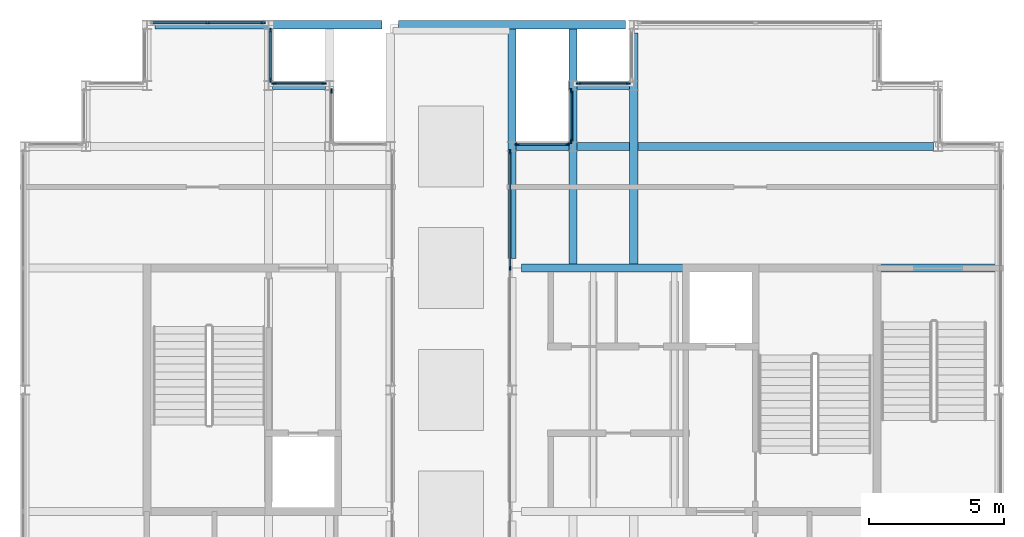
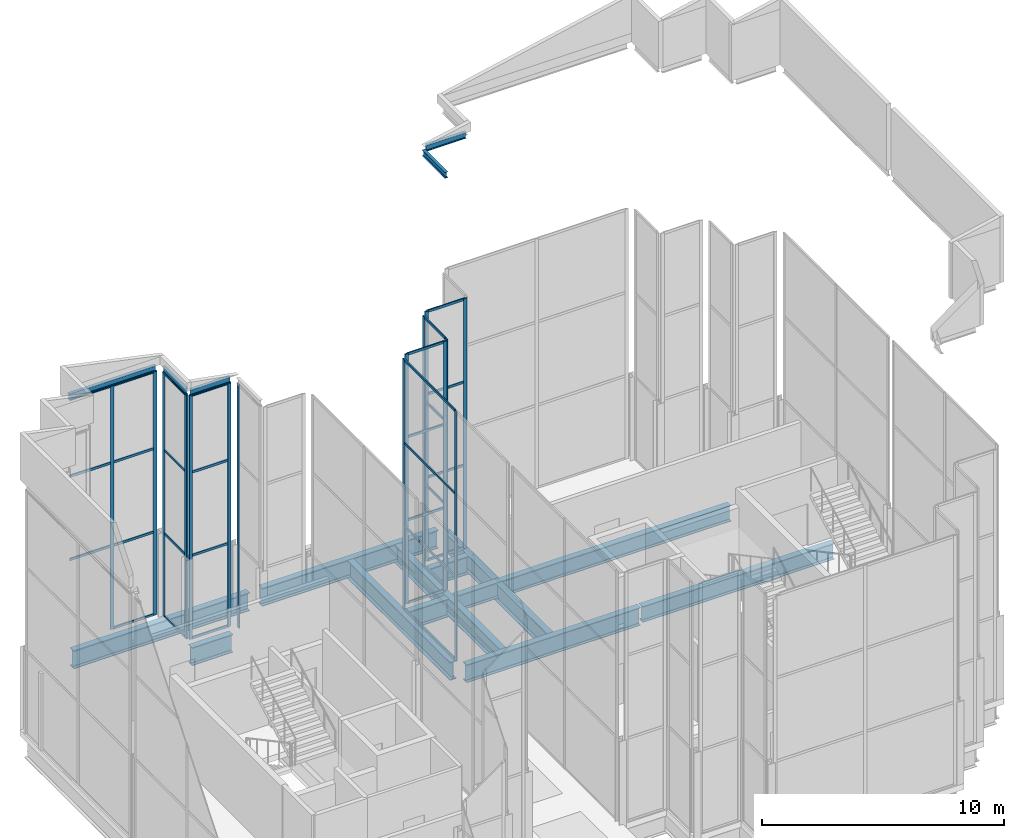
# One storey, part 7 of 23: 46 members, 16 beams, 8 elements without a shape of their own.
"""IFC4 building model written with IfcOpenShell, lengths in metres."""

from ifc_helpers import new_model, si_unit, direction, frame, origin, origin_2d, place, context, subcontext, project, spatial, rectangle, i_section, extrude, material, layer, layer_set, material_profile, profile_set, type_object, element, aggregate, save


model = new_model("IFC4")

# Units and contexts
model_context = context("Model", 3, precision=1e-05, world=origin(), true_north=direction((0.0, 1.0)))
body_context = subcontext(model_context, "Body", "Model", "MODEL_VIEW")
ifc_project = project(units=[si_unit("LENGTHUNIT", "METRE"), si_unit("AREAUNIT", "SQUARE_METRE"), si_unit("VOLUMEUNIT", "CUBIC_METRE"), si_unit("PLANEANGLEUNIT", "RADIAN"), si_unit("MASSUNIT", "GRAM", prefix="KILO")], contexts=[model_context])

# Site, building, storey
site_placement = place(None, origin())
site = spatial("IfcSite", under=ifc_project, at=site_placement, CompositionType="ELEMENT")
building_placement = place(site_placement, origin())
building = spatial("IfcBuilding", under=site, at=building_placement, Name="Caravel Reach Hotel and Residences", CompositionType="ELEMENT")
storey_placement = place(building_placement, frame((0.0, 0.0, 312.800048828125)))
storey = spatial("IfcBuildingStorey", under=building, at=storey_placement, Name="L79", CompositionType="ELEMENT", Elevation=312.800048828125)

# Beams
ifc_material_1 = material(Name="Structural steel Q355B", Category="steel")
ifc_material_profile_1 = material_profile(ifc_material_1, i_section(OverallWidth=0.14990234375, OverallDepth=0.300048828125, WebThickness=0.006591796875, FlangeThickness=0.009033203125, FilletRadius=0.012939453125, at=origin_2d()), Name="HN 300x150x6.5x9")
ifc_profile_set_1 = profile_set([ifc_material_profile_1], Name="Structural steel Q355B")
beam_type_1 = type_object("IfcBeamType", Name="Beam HN 300x150x6.5x9", PredefinedType="BEAM", material=ifc_profile_set_1)
for number, where, z_axis, x_axis, name in (
    (1, (35.824951171875, 38.324951171875, 20.849853515625), (-1.0, 0.0, 0.0), (0.0, -1.0, 0.0), "Eave tie beam east 12.1"),
    (2, (33.675048828125, 38.074951171875, 20.849853515625), (0.0, -1.0, 0.0), (1.0, 0.0, 0.0), "Eave tie beam east 13.1"),
    (3, (24.574951171875, 38.324951171875, 12.449951171875), (-1.0, 0.0, 0.0), (0.0, -1.0, 0.0), "Eave tie beam west 28.1"),
    (4, (22.574951171875, 38.425048828125, 12.449951171875), (0.0, 1.0, 0.0), (-1.0, 0.0, 0.0), "Eave tie beam west 29.1"),
):
    element("IfcBeam", number, at=place(storey_placement, frame(where, z_axis=z_axis, x_axis=x_axis)), inside=storey, type_object=beam_type_1, Name=name, PredefinedType="BEAM", context=body_context, shape_type="SweptSolid", body=[
        extrude(i_section(OverallWidth=0.14990234375, OverallDepth=0.300048828125, WebThickness=0.006591796875, FlangeThickness=0.009033203125, FilletRadius=0.012939453125, at=origin_2d()), origin(), (0.0, 0.0, 1.0), 1.89990234375),
    ])
beam_1_placement = place(storey_placement, frame((22.324951171875, 40.574951171875, 12.449951171875), z_axis=(-1.0, 0.0, 0.0), x_axis=(0.0, -1.0, 0.0)))
element("IfcBeam", 5, at=beam_1_placement, inside=storey, type_object=beam_type_1, Name="Eave tie beam west 30.1", PredefinedType="BEAM", context=body_context, shape_type="SweptSolid", body=[
    extrude(i_section(OverallWidth=0.14990234375, OverallDepth=0.300048828125, WebThickness=0.006591796875, FlangeThickness=0.009033203125, FilletRadius=0.012939453125, at=origin_2d()), origin(), (0.0, 0.0, 1.0), 4.14990234375),
])
ifc_material_2 = material(Name="Structural steel Q355B", Category="steel")
ifc_material_profile_2 = material_profile(ifc_material_2, i_section(OverallWidth=0.300048828125, OverallDepth=0.800048828125, WebThickness=0.013916015625, FlangeThickness=0.02587890625, FilletRadius=0.01806640625, at=origin_2d()), Name="HN 800x300x14x26")
ifc_profile_set_2 = profile_set([ifc_material_profile_2], Name="Structural steel Q355B")
beam_type_2 = type_object("IfcBeamType", Name="Beam HN 800x300x14x26", PredefinedType="BEAM", material=ifc_profile_set_2)
beam_2_placement = place(storey_placement, frame((40.25, 31.5, -0.699951171875), z_axis=(1.0, 0.0, 0.0), x_axis=(0.0, 1.0, 0.0)))
element("IfcBeam", 6, at=beam_2_placement, inside=storey, type_object=beam_type_2, Name="B4 HN 800x300x14x26", PredefinedType="BEAM", context=body_context, shape_type="SweptSolid", body=[
    extrude(i_section(OverallWidth=0.300048828125, OverallDepth=0.800048828125, WebThickness=0.013916015625, FlangeThickness=0.02587890625, FilletRadius=0.01806640625, at=origin_2d()), origin(), (0.0, 0.0, 1.0), 9.14990234375),
])
beam_3_placement = place(storey_placement, frame((33.925048828125, 36.0, -0.699951171875), z_axis=(1.0, 0.0, 0.0), x_axis=(0.0, 1.0, 0.0)))
element("IfcBeam", 7, at=beam_3_placement, inside=storey, type_object=beam_type_2, Name="B4 HN 800x300x14x26", PredefinedType="BEAM", context=body_context, shape_type="SweptSolid", body=[
    extrude(i_section(OverallWidth=0.300048828125, OverallDepth=0.800048828125, WebThickness=0.013916015625, FlangeThickness=0.02587890625, FilletRadius=0.01806640625, at=origin_2d()), origin(), (0.0, 0.0, 1.0), 13.14990234375),
])
ifc_material_3 = material(Name="Structural steel Q355B", Category="steel")
ifc_material_profile_3 = material_profile(ifc_material_3, i_section(OverallWidth=0.300048828125, OverallDepth=0.89990234375, WebThickness=0.01611328125, FlangeThickness=0.028076171875, FilletRadius=0.01806640625, at=origin_2d()), Name="HN 900x300x16x28")
ifc_profile_set_3 = profile_set([ifc_material_profile_3], Name="Structural steel Q355B")
beam_type_3 = type_object("IfcBeamType", Name="Beam HN 900x300x16x28", PredefinedType="BEAM", material=ifc_profile_set_3)
beam_4_placement = place(storey_placement, frame((31.85009765625, 31.5, -0.75), z_axis=(1.0, 0.0, 0.0), x_axis=(0.0, 1.0, 0.0)))
element("IfcBeam", 8, at=beam_4_placement, inside=storey, type_object=beam_type_3, Name="B3 HN 900x300x16x28", PredefinedType="BEAM", context=body_context, shape_type="SweptSolid", body=[
    extrude(i_section(OverallWidth=0.300048828125, OverallDepth=0.89990234375, WebThickness=0.01611328125, FlangeThickness=0.028076171875, FilletRadius=0.01806640625, at=origin_2d()), origin(), (0.0, 0.0, 1.0), 8.2998046875),
])
ifc_material_4 = material(Name="Structural steel Q355B", Category="steel")
ifc_material_profile_4 = material_profile(ifc_material_4, i_section(OverallWidth=0.302001953125, OverallDepth=0.912109375, WebThickness=0.01806640625, FlangeThickness=0.033935546875, FilletRadius=0.01806640625, at=origin_2d()), Name="HN 900x300x18x34")
ifc_profile_set_4 = profile_set([ifc_material_profile_4], Name="Structural steel Q355B")
beam_type_4 = type_object("IfcBeamType", Name="Beam HN 900x300x18x34", PredefinedType="BEAM", material=ifc_profile_set_4)
for number, where, z_axis, x_axis, name in (
    (9, (35.85009765625, 38.25, -0.756103515625), (-1.0, 0.0, 0.0), (0.0, -1.0, 0.0), "B10 HN 900x300x18x34"),
    (10, (33.60009765625, 36.0, -0.756103515625), (-1.0, 0.0, 0.0), (0.0, -1.0, 0.0), "B10 HN 900x300x18x34"),
    (11, (24.60009765625, 38.25, -0.756103515625), (-1.0, 0.0, 0.0), (0.0, -1.0, 0.0), "B10 HN 900x300x18x34"),
):
    element("IfcBeam", number, at=place(storey_placement, frame(where, z_axis=z_axis, x_axis=x_axis)), inside=storey, type_object=beam_type_4, Name=name, PredefinedType="BEAM", context=body_context, shape_type="SweptSolid", body=[
        extrude(i_section(OverallWidth=0.302001953125, OverallDepth=0.912109375, WebThickness=0.01806640625, FlangeThickness=0.033935546875, FilletRadius=0.01806640625, at=origin_2d()), origin(), (0.0, 0.0, 1.0), 1.9501953125),
    ])
beam_5_placement = place(storey_placement, frame((31.5, 31.85009765625, -0.756103515625), z_axis=(0.0, 1.0, 0.0), x_axis=(-1.0, 0.0, 0.0)))
element("IfcBeam", 12, at=beam_5_placement, inside=storey, type_object=beam_type_4, Name="Transfer girder TG-L79-315-315", PredefinedType="BEAM", context=body_context, shape_type="SweptSolid", body=[
    extrude(i_section(OverallWidth=0.302001953125, OverallDepth=0.912109375, WebThickness=0.01806640625, FlangeThickness=0.033935546875, FilletRadius=0.01806640625, at=origin_2d()), origin(), (0.0, 0.0, 1.0), 8.5),
])
beam_6_placement = place(storey_placement, frame((33.75, 31.64990234375, -0.756103515625), z_axis=(0.0, 1.0, 0.0), x_axis=(-1.0, 0.0, 0.0)))
element("IfcBeam", 13, at=beam_6_placement, inside=storey, type_object=beam_type_4, Name="Transfer girder TG-L79-3375-315", PredefinedType="BEAM", context=body_context, shape_type="SweptSolid", body=[
    extrude(i_section(OverallWidth=0.302001953125, OverallDepth=0.912109375, WebThickness=0.01806640625, FlangeThickness=0.033935546875, FilletRadius=0.01806640625, at=origin_2d()), origin(), (0.0, 0.0, 1.0), 8.7001953125),
])
beam_7_placement = place(storey_placement, frame((36.0, 31.64990234375, -0.756103515625), z_axis=(0.0, 1.0, 0.0), x_axis=(-1.0, 0.0, 0.0)))
element("IfcBeam", 14, at=beam_7_placement, inside=storey, type_object=beam_type_4, Name="Transfer girder TG-L79-3600-315", PredefinedType="BEAM", context=body_context, shape_type="SweptSolid", body=[
    extrude(i_section(OverallWidth=0.302001953125, OverallDepth=0.912109375, WebThickness=0.01806640625, FlangeThickness=0.033935546875, FilletRadius=0.01806640625, at=origin_2d()), origin(), (0.0, 0.0, 1.0), 8.550048828125),
])
for number, where, z_axis, x_axis, name in (
    (15, (18.300048828125, 40.5, -0.756103515625), (1.0, 0.0, 0.0), (0.0, 1.0, 0.0), "Transfer girder TG-L79-Y405-180"),
    (16, (27.300048828125, 40.5, -0.756103515625), (1.0, 0.0, 0.0), (0.0, 1.0, 0.0), "Transfer girder TG-L79-Y405-270"),
):
    element("IfcBeam", number, at=place(storey_placement, frame(where, z_axis=z_axis, x_axis=x_axis)), inside=storey, type_object=beam_type_4, Name=name, PredefinedType="BEAM", context=body_context, shape_type="SweptSolid", body=[
        extrude(i_section(OverallWidth=0.302001953125, OverallDepth=0.912109375, WebThickness=0.01806640625, FlangeThickness=0.033935546875, FilletRadius=0.01806640625, at=origin_2d()), origin(), (0.0, 0.0, 1.0), 8.39990234375),
    ])

# Curtain wall, members
ifc_material_5 = material(Name="Dark low-e glazing in black aluminium frame", Category="aluminium")
ifc_layer = layer(ifc_material_5, 0.199951171875)
ifc_layer_set = layer_set([ifc_layer], Name="CW4 Crown glazing")
curtain_wall_type = type_object("IfcCurtainWallType", Name="CW4 Crown glazing", PredefinedType="NOTDEFINED", material=ifc_layer_set)
curtain_wall_1_placement = place(storey_placement, origin())
curtain_wall_1 = element("IfcCurtainWall", 17, at=curtain_wall_1_placement, inside=storey, type_object=curtain_wall_type, Name="Crown glazing b0", PredefinedType="NOTDEFINED")
ifc_material_6 = material(Name="Anodised aluminium alloy 6063-T5, black", Category="aluminium")
ifc_material_profile_5 = material_profile(ifc_material_6, rectangle(XDim=0.06005859375, YDim=0.159912109375, at=origin_2d()), Name="CW mullion 60 x 160")
ifc_profile_set_5 = profile_set([ifc_material_profile_5], Name="Anodised aluminium alloy 6063-T5, black")
member_type_1 = type_object("IfcMemberType", Name="CW mullion 60 x 160", PredefinedType="MULLION", material=ifc_profile_set_5)
member_1_placement = place(storey_placement, frame((35.794921875, 38.324951171875, 0.0), z_axis=(0.0, 0.0, 1.0), x_axis=(0.0, -1.0, 0.0)))
member_1 = element("IfcMember", 18, at=member_1_placement, type_object=member_type_1, Name="CW4 mullion 1", PredefinedType="MULLION", context=body_context, shape_type="SweptSolid", body=[
    extrude(rectangle(XDim=0.06005859375, YDim=0.159912109375, at=origin_2d()), origin(), (0.0, 0.0, 1.0), 12.599853515625),
])
member_2_placement = place(storey_placement, frame((33.955078125, 38.324951171875, 0.0), z_axis=(0.0, 0.0, 1.0), x_axis=(0.0, -1.0, 0.0)))
member_2 = element("IfcMember", 19, at=member_2_placement, type_object=member_type_1, Name="CW4 mullion 2", PredefinedType="MULLION", context=body_context, shape_type="SweptSolid", body=[
    extrude(rectangle(XDim=0.06005859375, YDim=0.159912109375, at=origin_2d()), origin(), (0.0, 0.0, 1.0), 12.599853515625),
])

curtain_wall_2_placement = place(storey_placement, origin())
curtain_wall_2 = element("IfcCurtainWall", 20, at=curtain_wall_2_placement, inside=storey, type_object=curtain_wall_type, Name="Crown glazing b0", PredefinedType="NOTDEFINED")
member_3_placement = place(storey_placement, frame((33.675048828125, 38.044921875, 0.0), z_axis=(0.0, 0.0, 1.0), x_axis=(1.0, 0.0, 0.0)))
member_3 = element("IfcMember", 21, at=member_3_placement, type_object=member_type_1, Name="CW4 mullion 1", PredefinedType="MULLION", context=body_context, shape_type="SweptSolid", body=[
    extrude(rectangle(XDim=0.06005859375, YDim=0.159912109375, at=origin_2d()), origin(), (0.0, 0.0, 1.0), 12.599853515625),
])
member_4_placement = place(storey_placement, frame((33.675048828125, 36.205078125, 0.0), z_axis=(0.0, 0.0, 1.0), x_axis=(1.0, 0.0, 0.0)))
member_4 = element("IfcMember", 22, at=member_4_placement, type_object=member_type_1, Name="CW4 mullion 2", PredefinedType="MULLION", context=body_context, shape_type="SweptSolid", body=[
    extrude(rectangle(XDim=0.06005859375, YDim=0.159912109375, at=origin_2d()), origin(), (0.0, 0.0, 1.0), 12.599853515625),
])

curtain_wall_3_placement = place(storey_placement, origin())
curtain_wall_3 = element("IfcCurtainWall", 23, at=curtain_wall_3_placement, inside=storey, type_object=curtain_wall_type, Name="Crown glazing b0", PredefinedType="NOTDEFINED")
member_5_placement = place(storey_placement, frame((33.544921875, 36.074951171875, 0.0), z_axis=(0.0, 0.0, 1.0), x_axis=(0.0, -1.0, 0.0)))
member_5 = element("IfcMember", 24, at=member_5_placement, type_object=member_type_1, Name="CW4 mullion 1", PredefinedType="MULLION", context=body_context, shape_type="SweptSolid", body=[
    extrude(rectangle(XDim=0.06005859375, YDim=0.159912109375, at=origin_2d()), origin(), (0.0, 0.0, 1.0), 12.599853515625),
])
member_6_placement = place(storey_placement, frame((31.705078125, 36.074951171875, 0.0), z_axis=(0.0, 0.0, 1.0), x_axis=(0.0, -1.0, 0.0)))
member_6 = element("IfcMember", 25, at=member_6_placement, type_object=member_type_1, Name="CW4 mullion 2", PredefinedType="MULLION", context=body_context, shape_type="SweptSolid", body=[
    extrude(rectangle(XDim=0.06005859375, YDim=0.159912109375, at=origin_2d()), origin(), (0.0, 0.0, 1.0), 12.599853515625),
])

curtain_wall_4_placement = place(storey_placement, origin())
curtain_wall_4 = element("IfcCurtainWall", 26, at=curtain_wall_4_placement, inside=storey, type_object=curtain_wall_type, Name="Crown glazing b0", PredefinedType="NOTDEFINED")
member_7_placement = place(storey_placement, frame((31.425048828125, 35.794921875, 0.0), z_axis=(0.0, 0.0, 1.0), x_axis=(1.0, 0.0, 0.0)))
member_7 = element("IfcMember", 27, at=member_7_placement, type_object=member_type_1, Name="CW4 mullion 1", PredefinedType="MULLION", context=body_context, shape_type="SweptSolid", body=[
    extrude(rectangle(XDim=0.06005859375, YDim=0.159912109375, at=origin_2d()), origin(), (0.0, 0.0, 1.0), 12.599853515625),
])
member_8_placement = place(storey_placement, frame((31.425048828125, 31.5, 0.0), z_axis=(0.0, 0.0, 1.0), x_axis=(1.0, 0.0, 0.0)))
member_8 = element("IfcMember", 28, at=member_8_placement, type_object=member_type_1, Name="CW4 mullion 2", PredefinedType="MULLION", context=body_context, shape_type="SweptSolid", body=[
    extrude(rectangle(XDim=0.06005859375, YDim=0.159912109375, at=origin_2d()), origin(), (0.0, 0.0, 1.0), 12.599853515625),
])

# Curtain wall, member
curtain_wall_5_placement = place(storey_placement, origin())
curtain_wall_5 = element("IfcCurtainWall", 29, at=curtain_wall_5_placement, inside=storey, type_object=curtain_wall_type, Name="Crown glazing b0", PredefinedType="NOTDEFINED")
member_9_placement = place(storey_placement, frame((24.824951171875, 38.044921875, 0.0), z_axis=(0.0, 0.0, 1.0), x_axis=(-1.0, 0.0, 0.0)))
member_9 = element("IfcMember", 30, at=member_9_placement, type_object=member_type_1, Name="CW4 mullion 2", PredefinedType="MULLION", context=body_context, shape_type="SweptSolid", body=[
    extrude(rectangle(XDim=0.06005859375, YDim=0.159912109375, at=origin_2d()), origin(), (0.0, 0.0, 1.0), 12.300048828125),
])
aggregate(curtain_wall_5, [member_9])

# Curtain wall, members
curtain_wall_6_placement = place(storey_placement, origin())
curtain_wall_6 = element("IfcCurtainWall", 31, at=curtain_wall_6_placement, inside=storey, type_object=curtain_wall_type, Name="Crown glazing b0", PredefinedType="NOTDEFINED")
member_10_placement = place(storey_placement, frame((24.544921875, 38.324951171875, 0.0), z_axis=(0.0, 0.0, 1.0), x_axis=(0.0, -1.0, 0.0)))
member_10 = element("IfcMember", 32, at=member_10_placement, type_object=member_type_1, Name="CW4 mullion 1", PredefinedType="MULLION", context=body_context, shape_type="SweptSolid", body=[
    extrude(rectangle(XDim=0.06005859375, YDim=0.159912109375, at=origin_2d()), origin(), (0.0, 0.0, 1.0), 12.300048828125),
])
member_11_placement = place(storey_placement, frame((22.705078125, 38.324951171875, 0.0), z_axis=(0.0, 0.0, 1.0), x_axis=(0.0, -1.0, 0.0)))
member_11 = element("IfcMember", 33, at=member_11_placement, type_object=member_type_1, Name="CW4 mullion 2", PredefinedType="MULLION", context=body_context, shape_type="SweptSolid", body=[
    extrude(rectangle(XDim=0.06005859375, YDim=0.159912109375, at=origin_2d()), origin(), (0.0, 0.0, 1.0), 12.300048828125),
])

curtain_wall_7_placement = place(storey_placement, origin())
curtain_wall_7 = element("IfcCurtainWall", 34, at=curtain_wall_7_placement, inside=storey, type_object=curtain_wall_type, Name="Crown glazing b0", PredefinedType="NOTDEFINED")
member_12_placement = place(storey_placement, frame((22.574951171875, 38.455078125, 0.0), z_axis=(0.0, 0.0, 1.0), x_axis=(-1.0, 0.0, 0.0)))
member_12 = element("IfcMember", 35, at=member_12_placement, type_object=member_type_1, Name="CW4 mullion 1", PredefinedType="MULLION", context=body_context, shape_type="SweptSolid", body=[
    extrude(rectangle(XDim=0.06005859375, YDim=0.159912109375, at=origin_2d()), origin(), (0.0, 0.0, 1.0), 12.300048828125),
])
member_13_placement = place(storey_placement, frame((22.574951171875, 40.294921875, 0.0), z_axis=(0.0, 0.0, 1.0), x_axis=(-1.0, 0.0, 0.0)))
member_13 = element("IfcMember", 36, at=member_13_placement, type_object=member_type_1, Name="CW4 mullion 2", PredefinedType="MULLION", context=body_context, shape_type="SweptSolid", body=[
    extrude(rectangle(XDim=0.06005859375, YDim=0.159912109375, at=origin_2d()), origin(), (0.0, 0.0, 1.0), 12.300048828125),
])

curtain_wall_8_placement = place(storey_placement, origin())
curtain_wall_8 = element("IfcCurtainWall", 37, at=curtain_wall_8_placement, inside=storey, type_object=curtain_wall_type, Name="Crown glazing b0", PredefinedType="NOTDEFINED")
member_14_placement = place(storey_placement, frame((22.294921875, 40.574951171875, 0.0), z_axis=(0.0, 0.0, 1.0), x_axis=(0.0, -1.0, 0.0)))
member_14 = element("IfcMember", 38, at=member_14_placement, type_object=member_type_1, Name="CW4 mullion 1", PredefinedType="MULLION", context=body_context, shape_type="SweptSolid", body=[
    extrude(rectangle(XDim=0.06005859375, YDim=0.159912109375, at=origin_2d()), origin(), (0.0, 0.0, 1.0), 12.300048828125),
])
member_15_placement = place(storey_placement, frame((20.25, 40.574951171875, 0.0), z_axis=(0.0, 0.0, 1.0), x_axis=(0.0, -1.0, 0.0)))
member_15 = element("IfcMember", 39, at=member_15_placement, type_object=member_type_1, Name="CW4 mullion 2", PredefinedType="MULLION", context=body_context, shape_type="SweptSolid", body=[
    extrude(rectangle(XDim=0.06005859375, YDim=0.159912109375, at=origin_2d()), origin(), (0.0, 0.0, 1.0), 12.300048828125),
])

# Member
ifc_material_7 = material(Name="Anodised aluminium alloy 6063-T5, black", Category="aluminium")
ifc_material_profile_6 = material_profile(ifc_material_7, rectangle(XDim=0.06005859375, YDim=0.1201171875, at=origin_2d()), Name="CW transom 60 x 120")
ifc_profile_set_6 = profile_set([ifc_material_profile_6], Name="Anodised aluminium alloy 6063-T5, black")
member_type_2 = type_object("IfcMemberType", Name="CW transom 60 x 120", PredefinedType="USERDEFINED", material=ifc_profile_set_6)
member_16_placement = place(storey_placement, frame((35.764892578125, 38.324951171875, 0.030029296875), z_axis=(-1.0, 0.0, 0.0), x_axis=(0.0, -1.0, 0.0)))
member_16 = element("IfcMember", 40, at=member_16_placement, type_object=member_type_2, Name="CW4 transom 1.1", ObjectType="TRANSOM", PredefinedType="USERDEFINED", context=body_context, shape_type="SweptSolid", body=[
    extrude(rectangle(XDim=0.06005859375, YDim=0.1201171875, at=origin_2d()), origin(), (0.0, 0.0, 1.0), 1.77978515625),
])

member_17_placement = place(storey_placement, frame((35.764892578125, 38.324951171875, 4.199951171875), z_axis=(-1.0, 0.0, 0.0), x_axis=(0.0, -1.0, 0.0)))
member_17 = element("IfcMember", 41, at=member_17_placement, type_object=member_type_2, Name="CW4 transom 1.2", ObjectType="TRANSOM", PredefinedType="USERDEFINED", context=body_context, shape_type="SweptSolid", body=[
    extrude(rectangle(XDim=0.06005859375, YDim=0.1201171875, at=origin_2d()), origin(), (0.0, 0.0, 1.0), 1.77978515625),
])

member_18_placement = place(storey_placement, frame((35.764892578125, 38.324951171875, 8.39990234375), z_axis=(-1.0, 0.0, 0.0), x_axis=(0.0, -1.0, 0.0)))
member_18 = element("IfcMember", 42, at=member_18_placement, type_object=member_type_2, Name="CW4 transom 1.3", ObjectType="TRANSOM", PredefinedType="USERDEFINED", context=body_context, shape_type="SweptSolid", body=[
    extrude(rectangle(XDim=0.06005859375, YDim=0.1201171875, at=origin_2d()), origin(), (0.0, 0.0, 1.0), 1.77978515625),
])

member_19_placement = place(storey_placement, frame((35.764892578125, 38.324951171875, 12.570068359375), z_axis=(-1.0, 0.0, 0.0), x_axis=(0.0, -1.0, 0.0)))
member_19 = element("IfcMember", 43, at=member_19_placement, type_object=member_type_2, Name="CW4 transom 1.4", ObjectType="TRANSOM", PredefinedType="USERDEFINED", context=body_context, shape_type="SweptSolid", body=[
    extrude(rectangle(XDim=0.06005859375, YDim=0.1201171875, at=origin_2d()), origin(), (0.0, 0.0, 1.0), 1.77978515625),
])

aggregate(curtain_wall_1, [member_1, member_2, member_16, member_17, member_18, member_19])

member_20_placement = place(storey_placement, frame((33.675048828125, 38.014892578125, 0.030029296875), z_axis=(0.0, -1.0, 0.0), x_axis=(1.0, 0.0, 0.0)))
member_20 = element("IfcMember", 44, at=member_20_placement, type_object=member_type_2, Name="CW4 transom 1.1", ObjectType="TRANSOM", PredefinedType="USERDEFINED", context=body_context, shape_type="SweptSolid", body=[
    extrude(rectangle(XDim=0.06005859375, YDim=0.1201171875, at=origin_2d()), origin(), (0.0, 0.0, 1.0), 1.77978515625),
])

member_21_placement = place(storey_placement, frame((33.675048828125, 38.014892578125, 4.199951171875), z_axis=(0.0, -1.0, 0.0), x_axis=(1.0, 0.0, 0.0)))
member_21 = element("IfcMember", 45, at=member_21_placement, type_object=member_type_2, Name="CW4 transom 1.2", ObjectType="TRANSOM", PredefinedType="USERDEFINED", context=body_context, shape_type="SweptSolid", body=[
    extrude(rectangle(XDim=0.06005859375, YDim=0.1201171875, at=origin_2d()), origin(), (0.0, 0.0, 1.0), 1.77978515625),
])

member_22_placement = place(storey_placement, frame((33.675048828125, 38.014892578125, 8.39990234375), z_axis=(0.0, -1.0, 0.0), x_axis=(1.0, 0.0, 0.0)))
member_22 = element("IfcMember", 46, at=member_22_placement, type_object=member_type_2, Name="CW4 transom 1.3", ObjectType="TRANSOM", PredefinedType="USERDEFINED", context=body_context, shape_type="SweptSolid", body=[
    extrude(rectangle(XDim=0.06005859375, YDim=0.1201171875, at=origin_2d()), origin(), (0.0, 0.0, 1.0), 1.77978515625),
])

member_23_placement = place(storey_placement, frame((33.675048828125, 38.014892578125, 12.570068359375), z_axis=(0.0, -1.0, 0.0), x_axis=(1.0, 0.0, 0.0)))
member_23 = element("IfcMember", 47, at=member_23_placement, type_object=member_type_2, Name="CW4 transom 1.4", ObjectType="TRANSOM", PredefinedType="USERDEFINED", context=body_context, shape_type="SweptSolid", body=[
    extrude(rectangle(XDim=0.06005859375, YDim=0.1201171875, at=origin_2d()), origin(), (0.0, 0.0, 1.0), 1.77978515625),
])

aggregate(curtain_wall_2, [member_3, member_4, member_20, member_21, member_22, member_23])

member_24_placement = place(storey_placement, frame((33.514892578125, 36.074951171875, 0.030029296875), z_axis=(-1.0, 0.0, 0.0), x_axis=(0.0, -1.0, 0.0)))
member_24 = element("IfcMember", 48, at=member_24_placement, type_object=member_type_2, Name="CW4 transom 1.1", ObjectType="TRANSOM", PredefinedType="USERDEFINED", context=body_context, shape_type="SweptSolid", body=[
    extrude(rectangle(XDim=0.06005859375, YDim=0.1201171875, at=origin_2d()), origin(), (0.0, 0.0, 1.0), 1.77978515625),
])

member_25_placement = place(storey_placement, frame((33.514892578125, 36.074951171875, 4.199951171875), z_axis=(-1.0, 0.0, 0.0), x_axis=(0.0, -1.0, 0.0)))
member_25 = element("IfcMember", 49, at=member_25_placement, type_object=member_type_2, Name="CW4 transom 1.2", ObjectType="TRANSOM", PredefinedType="USERDEFINED", context=body_context, shape_type="SweptSolid", body=[
    extrude(rectangle(XDim=0.06005859375, YDim=0.1201171875, at=origin_2d()), origin(), (0.0, 0.0, 1.0), 1.77978515625),
])

member_26_placement = place(storey_placement, frame((33.514892578125, 36.074951171875, 8.39990234375), z_axis=(-1.0, 0.0, 0.0), x_axis=(0.0, -1.0, 0.0)))
member_26 = element("IfcMember", 50, at=member_26_placement, type_object=member_type_2, Name="CW4 transom 1.3", ObjectType="TRANSOM", PredefinedType="USERDEFINED", context=body_context, shape_type="SweptSolid", body=[
    extrude(rectangle(XDim=0.06005859375, YDim=0.1201171875, at=origin_2d()), origin(), (0.0, 0.0, 1.0), 1.77978515625),
])

member_27_placement = place(storey_placement, frame((33.514892578125, 36.074951171875, 12.570068359375), z_axis=(-1.0, 0.0, 0.0), x_axis=(0.0, -1.0, 0.0)))
member_27 = element("IfcMember", 51, at=member_27_placement, type_object=member_type_2, Name="CW4 transom 1.4", ObjectType="TRANSOM", PredefinedType="USERDEFINED", context=body_context, shape_type="SweptSolid", body=[
    extrude(rectangle(XDim=0.06005859375, YDim=0.1201171875, at=origin_2d()), origin(), (0.0, 0.0, 1.0), 1.77978515625),
])

aggregate(curtain_wall_3, [member_5, member_6, member_24, member_25, member_26, member_27])

member_28_placement = place(storey_placement, frame((31.425048828125, 35.764892578125, 0.030029296875), z_axis=(0.0, -1.0, 0.0), x_axis=(1.0, 0.0, 0.0)))
member_28 = element("IfcMember", 52, at=member_28_placement, type_object=member_type_2, Name="CW4 transom 1.1", ObjectType="TRANSOM", PredefinedType="USERDEFINED", context=body_context, shape_type="SweptSolid", body=[
    extrude(rectangle(XDim=0.06005859375, YDim=0.1201171875, at=origin_2d()), origin(), (0.0, 0.0, 1.0), 4.23486328125),
])

member_29_placement = place(storey_placement, frame((31.425048828125, 35.764892578125, 4.199951171875), z_axis=(0.0, -1.0, 0.0), x_axis=(1.0, 0.0, 0.0)))
member_29 = element("IfcMember", 53, at=member_29_placement, type_object=member_type_2, Name="CW4 transom 1.2", ObjectType="TRANSOM", PredefinedType="USERDEFINED", context=body_context, shape_type="SweptSolid", body=[
    extrude(rectangle(XDim=0.06005859375, YDim=0.1201171875, at=origin_2d()), origin(), (0.0, 0.0, 1.0), 4.23486328125),
])

member_30_placement = place(storey_placement, frame((31.425048828125, 35.764892578125, 8.39990234375), z_axis=(0.0, -1.0, 0.0), x_axis=(1.0, 0.0, 0.0)))
member_30 = element("IfcMember", 54, at=member_30_placement, type_object=member_type_2, Name="CW4 transom 1.3", ObjectType="TRANSOM", PredefinedType="USERDEFINED", context=body_context, shape_type="SweptSolid", body=[
    extrude(rectangle(XDim=0.06005859375, YDim=0.1201171875, at=origin_2d()), origin(), (0.0, 0.0, 1.0), 4.23486328125),
])

member_31_placement = place(storey_placement, frame((31.425048828125, 35.764892578125, 12.570068359375), z_axis=(0.0, -1.0, 0.0), x_axis=(1.0, 0.0, 0.0)))
member_31 = element("IfcMember", 55, at=member_31_placement, type_object=member_type_2, Name="CW4 transom 1.4", ObjectType="TRANSOM", PredefinedType="USERDEFINED", context=body_context, shape_type="SweptSolid", body=[
    extrude(rectangle(XDim=0.06005859375, YDim=0.1201171875, at=origin_2d()), origin(), (0.0, 0.0, 1.0), 4.23486328125),
])

aggregate(curtain_wall_4, [member_7, member_8, member_28, member_29, member_30, member_31])

member_32_placement = place(storey_placement, frame((24.514892578125, 38.324951171875, 0.030029296875), z_axis=(-1.0, 0.0, 0.0), x_axis=(0.0, -1.0, 0.0)))
member_32 = element("IfcMember", 56, at=member_32_placement, type_object=member_type_2, Name="CW4 transom 1.1", ObjectType="TRANSOM", PredefinedType="USERDEFINED", context=body_context, shape_type="SweptSolid", body=[
    extrude(rectangle(XDim=0.06005859375, YDim=0.1201171875, at=origin_2d()), origin(), (0.0, 0.0, 1.0), 1.77978515625),
])

member_33_placement = place(storey_placement, frame((24.514892578125, 38.324951171875, 4.199951171875), z_axis=(-1.0, 0.0, 0.0), x_axis=(0.0, -1.0, 0.0)))
member_33 = element("IfcMember", 57, at=member_33_placement, type_object=member_type_2, Name="CW4 transom 1.2", ObjectType="TRANSOM", PredefinedType="USERDEFINED", context=body_context, shape_type="SweptSolid", body=[
    extrude(rectangle(XDim=0.06005859375, YDim=0.1201171875, at=origin_2d()), origin(), (0.0, 0.0, 1.0), 1.77978515625),
])

member_34_placement = place(storey_placement, frame((24.514892578125, 38.324951171875, 8.39990234375), z_axis=(-1.0, 0.0, 0.0), x_axis=(0.0, -1.0, 0.0)))
member_34 = element("IfcMember", 58, at=member_34_placement, type_object=member_type_2, Name="CW4 transom 1.3", ObjectType="TRANSOM", PredefinedType="USERDEFINED", context=body_context, shape_type="SweptSolid", body=[
    extrude(rectangle(XDim=0.06005859375, YDim=0.1201171875, at=origin_2d()), origin(), (0.0, 0.0, 1.0), 1.77978515625),
])

member_35_placement = place(storey_placement, frame((24.514892578125, 38.324951171875, 12.27001953125), z_axis=(-1.0, 0.0, 0.0), x_axis=(0.0, -1.0, 0.0)))
member_35 = element("IfcMember", 59, at=member_35_placement, type_object=member_type_2, Name="CW4 transom 1.4", ObjectType="TRANSOM", PredefinedType="USERDEFINED", context=body_context, shape_type="SweptSolid", body=[
    extrude(rectangle(XDim=0.06005859375, YDim=0.1201171875, at=origin_2d()), origin(), (0.0, 0.0, 1.0), 1.77978515625),
])

aggregate(curtain_wall_6, [member_10, member_11, member_32, member_33, member_34, member_35])

member_36_placement = place(storey_placement, frame((22.574951171875, 38.485107421875, 0.030029296875), z_axis=(0.0, 1.0, 0.0), x_axis=(-1.0, 0.0, 0.0)))
member_36 = element("IfcMember", 60, at=member_36_placement, type_object=member_type_2, Name="CW4 transom 1.1", ObjectType="TRANSOM", PredefinedType="USERDEFINED", context=body_context, shape_type="SweptSolid", body=[
    extrude(rectangle(XDim=0.06005859375, YDim=0.1201171875, at=origin_2d()), origin(), (0.0, 0.0, 1.0), 1.77978515625),
])

member_37_placement = place(storey_placement, frame((22.574951171875, 38.485107421875, 4.199951171875), z_axis=(0.0, 1.0, 0.0), x_axis=(-1.0, 0.0, 0.0)))
member_37 = element("IfcMember", 61, at=member_37_placement, type_object=member_type_2, Name="CW4 transom 1.2", ObjectType="TRANSOM", PredefinedType="USERDEFINED", context=body_context, shape_type="SweptSolid", body=[
    extrude(rectangle(XDim=0.06005859375, YDim=0.1201171875, at=origin_2d()), origin(), (0.0, 0.0, 1.0), 1.77978515625),
])

member_38_placement = place(storey_placement, frame((22.574951171875, 38.485107421875, 8.39990234375), z_axis=(0.0, 1.0, 0.0), x_axis=(-1.0, 0.0, 0.0)))
member_38 = element("IfcMember", 62, at=member_38_placement, type_object=member_type_2, Name="CW4 transom 1.3", ObjectType="TRANSOM", PredefinedType="USERDEFINED", context=body_context, shape_type="SweptSolid", body=[
    extrude(rectangle(XDim=0.06005859375, YDim=0.1201171875, at=origin_2d()), origin(), (0.0, 0.0, 1.0), 1.77978515625),
])

member_39_placement = place(storey_placement, frame((22.574951171875, 38.485107421875, 12.27001953125), z_axis=(0.0, 1.0, 0.0), x_axis=(-1.0, 0.0, 0.0)))
member_39 = element("IfcMember", 63, at=member_39_placement, type_object=member_type_2, Name="CW4 transom 1.4", ObjectType="TRANSOM", PredefinedType="USERDEFINED", context=body_context, shape_type="SweptSolid", body=[
    extrude(rectangle(XDim=0.06005859375, YDim=0.1201171875, at=origin_2d()), origin(), (0.0, 0.0, 1.0), 1.77978515625),
])

aggregate(curtain_wall_7, [member_12, member_13, member_36, member_37, member_38, member_39])

member_40_placement = place(storey_placement, frame((22.264892578125, 40.574951171875, 0.030029296875), z_axis=(-1.0, 0.0, 0.0), x_axis=(0.0, -1.0, 0.0)))
member_40 = element("IfcMember", 64, at=member_40_placement, type_object=member_type_2, Name="CW4 transom 1.1", ObjectType="TRANSOM", PredefinedType="USERDEFINED", context=body_context, shape_type="SweptSolid", body=[
    extrude(rectangle(XDim=0.06005859375, YDim=0.1201171875, at=origin_2d()), origin(), (0.0, 0.0, 1.0), 1.98486328125),
])

member_41_placement = place(storey_placement, frame((22.264892578125, 40.574951171875, 4.199951171875), z_axis=(-1.0, 0.0, 0.0), x_axis=(0.0, -1.0, 0.0)))
member_41 = element("IfcMember", 65, at=member_41_placement, type_object=member_type_2, Name="CW4 transom 1.2", ObjectType="TRANSOM", PredefinedType="USERDEFINED", context=body_context, shape_type="SweptSolid", body=[
    extrude(rectangle(XDim=0.06005859375, YDim=0.1201171875, at=origin_2d()), origin(), (0.0, 0.0, 1.0), 1.98486328125),
])

member_42_placement = place(storey_placement, frame((22.264892578125, 40.574951171875, 8.39990234375), z_axis=(-1.0, 0.0, 0.0), x_axis=(0.0, -1.0, 0.0)))
member_42 = element("IfcMember", 66, at=member_42_placement, type_object=member_type_2, Name="CW4 transom 1.3", ObjectType="TRANSOM", PredefinedType="USERDEFINED", context=body_context, shape_type="SweptSolid", body=[
    extrude(rectangle(XDim=0.06005859375, YDim=0.1201171875, at=origin_2d()), origin(), (0.0, 0.0, 1.0), 1.98486328125),
])

member_43_placement = place(storey_placement, frame((22.264892578125, 40.574951171875, 12.27001953125), z_axis=(-1.0, 0.0, 0.0), x_axis=(0.0, -1.0, 0.0)))
member_43 = element("IfcMember", 67, at=member_43_placement, type_object=member_type_2, Name="CW4 transom 1.4", ObjectType="TRANSOM", PredefinedType="USERDEFINED", context=body_context, shape_type="SweptSolid", body=[
    extrude(rectangle(XDim=0.06005859375, YDim=0.1201171875, at=origin_2d()), origin(), (0.0, 0.0, 1.0), 1.98486328125),
])

member_44_placement = place(storey_placement, frame((20.219970703125, 40.574951171875, 4.199951171875), z_axis=(-1.0, 0.0, 0.0), x_axis=(0.0, -1.0, 0.0)))
member_44 = element("IfcMember", 68, at=member_44_placement, type_object=member_type_2, Name="CW4 transom 2.2", ObjectType="TRANSOM", PredefinedType="USERDEFINED", context=body_context, shape_type="SweptSolid", body=[
    extrude(rectangle(XDim=0.06005859375, YDim=0.1201171875, at=origin_2d()), origin(), (0.0, 0.0, 1.0), 1.98486328125),
])

member_45_placement = place(storey_placement, frame((20.219970703125, 40.574951171875, 8.39990234375), z_axis=(-1.0, 0.0, 0.0), x_axis=(0.0, -1.0, 0.0)))
member_45 = element("IfcMember", 69, at=member_45_placement, type_object=member_type_2, Name="CW4 transom 2.3", ObjectType="TRANSOM", PredefinedType="USERDEFINED", context=body_context, shape_type="SweptSolid", body=[
    extrude(rectangle(XDim=0.06005859375, YDim=0.1201171875, at=origin_2d()), origin(), (0.0, 0.0, 1.0), 1.98486328125),
])

member_46_placement = place(storey_placement, frame((20.219970703125, 40.574951171875, 12.27001953125), z_axis=(-1.0, 0.0, 0.0), x_axis=(0.0, -1.0, 0.0)))
member_46 = element("IfcMember", 70, at=member_46_placement, type_object=member_type_2, Name="CW4 transom 2.4", ObjectType="TRANSOM", PredefinedType="USERDEFINED", context=body_context, shape_type="SweptSolid", body=[
    extrude(rectangle(XDim=0.06005859375, YDim=0.1201171875, at=origin_2d()), origin(), (0.0, 0.0, 1.0), 1.98486328125),
])

aggregate(curtain_wall_8, [member_14, member_15, member_40, member_41, member_42, member_43, member_44, member_45, member_46])

save(model, "model.ifc")
